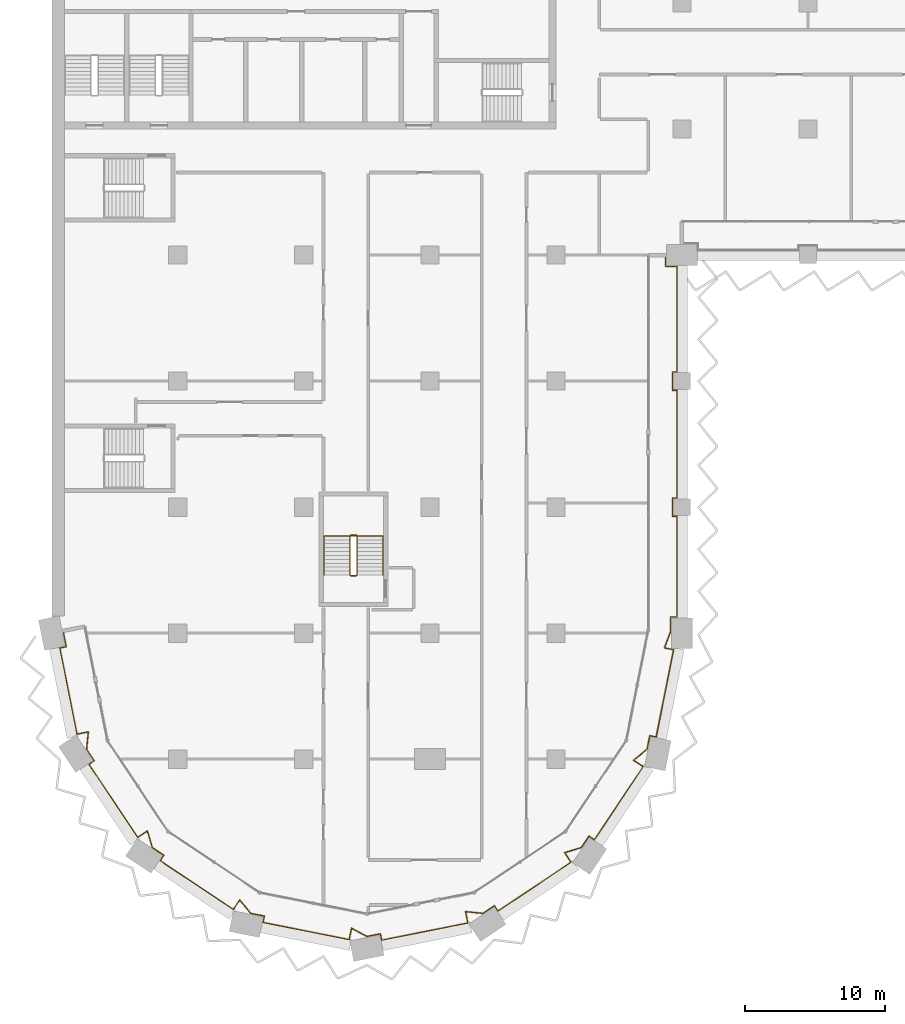
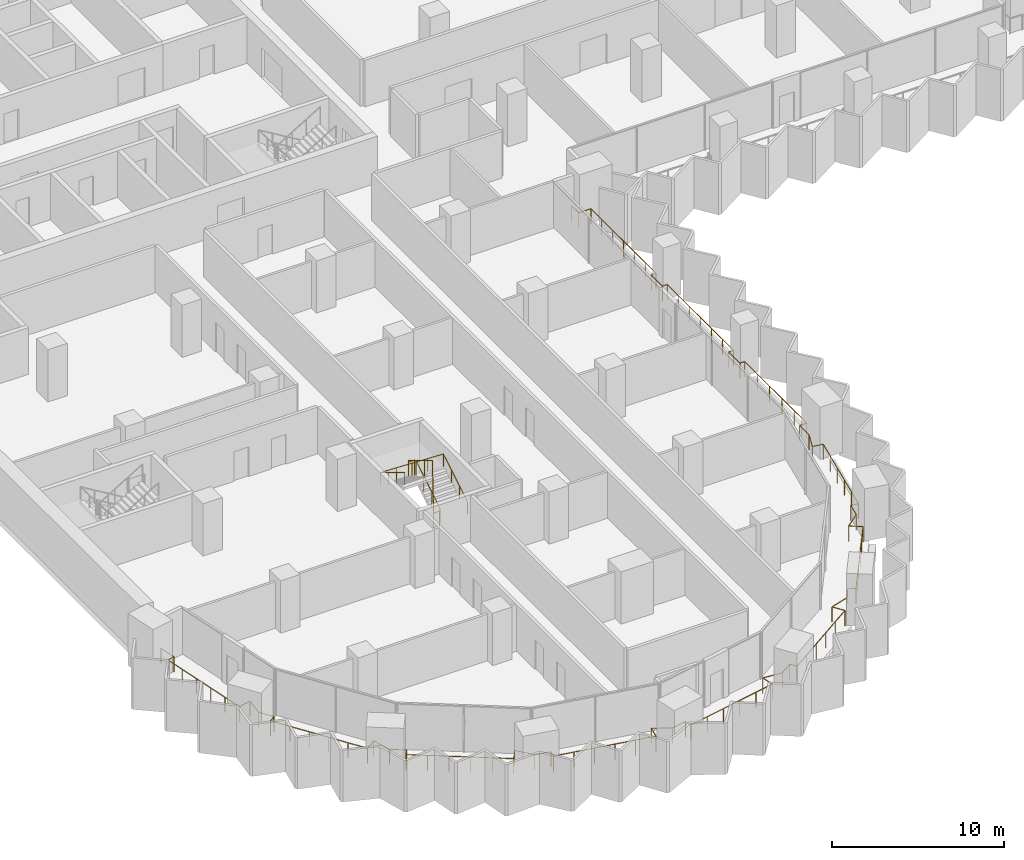
# One storey, part 19 of 22: 3 railings.
"""IFC4 building model written with IfcOpenShell, lengths in metres."""

from ifc_helpers import new_model, si_unit, direction, frame, origin, origin_2d, place, context, subcontext, project, spatial, circle, extrude, material, type_object, element, save


model = new_model("IFC4")

# Units and contexts
model_context = context("Model", 3, precision=1e-05, world=origin(), true_north=direction((0.0, 1.0)))
body_context = subcontext(model_context, "Body", "Model", "MODEL_VIEW")
ifc_project = project(units=[si_unit("LENGTHUNIT", "METRE"), si_unit("AREAUNIT", "SQUARE_METRE"), si_unit("VOLUMEUNIT", "CUBIC_METRE"), si_unit("PLANEANGLEUNIT", "RADIAN"), si_unit("MASSUNIT", "GRAM", prefix="KILO")], contexts=[model_context])

# Site, building, storey
site_placement = place(None, origin())
site = spatial("IfcSite", under=ifc_project, at=site_placement, CompositionType="ELEMENT")
building_placement = place(site_placement, origin())
building = spatial("IfcBuilding", under=site, at=building_placement, Name="Hunhe Ridgeline Campus", CompositionType="ELEMENT")
storey_placement = place(building_placement, frame((0.0, 0.0, 88.5)))
storey = spatial("IfcBuildingStorey", under=building, at=storey_placement, Name="L21", CompositionType="ELEMENT", Elevation=88.5)

# Railings
ifc_material_1 = material(Name="Steel Q355", Category="steel")
railing_type_1 = type_object("IfcRailingType", Name="Loggia guard 1100 Steel Q355", PredefinedType="GUARDRAIL", material=ifc_material_1)
railing_1_placement = place(storey_placement, frame((0.80419921875, 27.159912109375, 0.0)))
element("IfcRailing", 1, at=railing_1_placement, inside=storey, type_object=railing_type_1, Name="Loggia guard 1", PredefinedType="GUARDRAIL", context=body_context, shape_type="SweptSolid", body=[
    extrude(circle(Radius=0.02392578125, at=origin_2d()), frame((0.0, 0.0, 1.076171875), z_axis=(0.195095399255, -0.980784270464, 0.0), x_axis=(0.980784270464, 0.195095399255, 0.0)), (0.0, 0.0, 1.0), 1.150146484375),
    extrude(circle(Radius=0.02392578125, at=origin_2d()), frame((0.224365234375, -1.1279296875, 1.076171875), z_axis=(-0.980839571814, -0.194817181902, 0.0), x_axis=(0.194817181902, -0.980839571814, 0.0)), (0.0, 0.0, 1.0), 0.469970703125),
    extrude(circle(Radius=0.02392578125, at=origin_2d()), frame((-0.236572265625, -1.219482421875, 1.076171875), z_axis=(0.195091122585, -0.98078512116, 0.0), x_axis=(0.98078512116, 0.195091122585, 0.0)), (0.0, 0.0, 1.0), 6.27587890625),
    extrude(circle(Radius=0.02392578125, at=origin_2d()), frame((0.98779296875, -7.374755859375, 1.076171875), z_axis=(0.980805242724, 0.194989937807, 0.0), x_axis=(-0.194989937807, 0.980805242724, 0.0)), (0.0, 0.0, 1.0), 0.833984375),
    extrude(circle(Radius=0.02392578125, at=origin_2d()), frame((1.8056640625, -7.212158203125, 1.076171875), z_axis=(-0.10024174874, -0.994963110778, 0.0), x_axis=(0.994963110778, -0.10024174874, 0.0)), (0.0, 0.0, 1.0), 1.24462890625),
    extrude(circle(Radius=0.02392578125, at=origin_2d()), frame((1.680908203125, -8.450439453125, 1.076171875), z_axis=(0.555613261421, -0.831440860034, 0.0), x_axis=(0.831440860034, 0.555613261421, 0.0)), (0.0, 0.0, 1.0), 0.98681640625),
    extrude(circle(Radius=0.02392578125, at=origin_2d()), frame((2.229248046875, -9.27099609375, 1.076171875), z_axis=(-0.831650496226, -0.55529942565, 0.0), x_axis=(0.55529942565, -0.831650496226, 0.0)), (0.0, 0.0, 1.0), 0.469970703125),
    extrude(circle(Radius=0.02392578125, at=origin_2d()), frame((1.83837890625, -9.531982421875, 1.076171875), z_axis=(0.55555274607, -0.831481296443, 0.0), x_axis=(0.831481296443, 0.55555274607, 0.0)), (0.0, 0.0, 1.0), 6.27587890625),
    extrude(circle(Radius=0.02392578125, at=origin_2d()), frame((5.324951171875, -14.750244140625, 1.076171875), z_axis=(0.831419211319, 0.555645656016, 0.0), x_axis=(-0.555645656016, 0.831419211319, 0.0)), (0.0, 0.0, 1.0), 0.833984375),
    extrude(circle(Radius=0.02392578125, at=origin_2d()), frame((6.018310546875, -14.286865234375, 1.076171875), z_axis=(0.288373576958, -0.957517979002, 0.0), x_axis=(0.957517979002, 0.288373576958, 0.0)), (0.0, 0.0, 1.0), 1.24462890625),
    extrude(circle(Radius=0.02392578125, at=origin_2d()), frame((6.377197265625, -15.478515625, 1.076171875), z_axis=(0.831440860034, -0.555613261421, 0.0), x_axis=(0.555613261421, 0.831440860034, 0.0)), (0.0, 0.0, 1.0), 0.98681640625),
    extrude(circle(Radius=0.02392578125, at=origin_2d()), frame((7.19775390625, -16.02685546875, 1.076171875), z_axis=(-0.555658548717, -0.831410594856, 0.0), x_axis=(0.831410594856, -0.555658548717, 0.0)), (0.0, 0.0, 1.0), 0.47021484375),
    extrude(circle(Radius=0.02392578125, at=origin_2d()), frame((6.9365234375, -16.417724609375, 1.076171875), z_axis=(0.831469289337, -0.555570716372, 0.0), x_axis=(0.555570716372, 0.831469289337, 0.0)), (0.0, 0.0, 1.0), 6.275634765625),
    extrude(circle(Radius=0.02392578125, at=origin_2d()), frame((12.154541015625, -19.904296875, 1.076171875), z_axis=(0.555645656016, 0.831419211319, 0.0), x_axis=(-0.831419211319, 0.555645656016, 0.0)), (0.0, 0.0, 1.0), 0.833984375),
    extrude(circle(Radius=0.02392578125, at=origin_2d()), frame((12.617919921875, -19.2109375, 1.076171875), z_axis=(0.632628709191, -0.774455238414, 0.0), x_axis=(0.774455238414, 0.632628709191, 0.0)), (0.0, 0.0, 1.0), 1.24462890625),
    extrude(circle(Radius=0.02392578125, at=origin_2d()), frame((13.4052734375, -20.1748046875, 1.076171875), z_axis=(0.980770488785, -0.195164669773, 0.0), x_axis=(0.195164669773, 0.980770488785, 0.0)), (0.0, 0.0, 1.0), 0.987060546875),
    extrude(circle(Radius=0.02392578125, at=origin_2d()), frame((14.373291015625, -20.367431640625, 1.076171875), z_axis=(-0.195316901017, -0.980740183829, 0.0), x_axis=(0.980740183829, -0.195316901017, 0.0)), (0.0, 0.0, 1.0), 0.469970703125),
    extrude(circle(Radius=0.02392578125, at=origin_2d()), frame((14.281494140625, -20.828369140625, 1.076171875), z_axis=(0.98078512116, -0.195091122585, 0.0), x_axis=(0.195091122585, 0.98078512116, 0.0)), (0.0, 0.0, 1.0), 6.27587890625),
    extrude(circle(Radius=0.02392578125, at=origin_2d()), frame((20.436767578125, -22.052734375, 1.076171875), z_axis=(0.194989937807, 0.980805242724, 0.0), x_axis=(-0.980805242724, 0.194989937807, 0.0)), (0.0, 0.0, 1.0), 0.833984375),
    extrude(circle(Radius=0.02392578125, at=origin_2d()), frame((20.599365234375, -21.23486328125, 1.076171875), z_axis=(0.880980801229, -0.473152013486, 0.0), x_axis=(0.473152013486, 0.880980801229, 0.0)), (0.0, 0.0, 1.0), 1.24462890625),
    extrude(circle(Radius=0.02392578125, at=origin_2d()), frame((21.69580078125, -21.82373046875, 1.076171875), z_axis=(0.98081780924, 0.194926717196, 0.0), x_axis=(-0.194926717196, 0.98081780924, 0.0)), (0.0, 0.0, 1.0), 0.987060546875),
    extrude(circle(Radius=0.02392578125, at=origin_2d()), frame((22.663818359375, -21.63134765625, 1.076171875), z_axis=(0.194817181902, -0.980839571814, 0.0), x_axis=(0.980839571814, 0.194817181902, 0.0)), (0.0, 0.0, 1.0), 0.469970703125),
    extrude(circle(Radius=0.02392578125, at=origin_2d()), frame((22.75537109375, -22.09228515625, 1.076171875), z_axis=(0.98078512116, 0.195091122585, 0.0), x_axis=(-0.195091122585, 0.98078512116, 0.0)), (0.0, 0.0, 1.0), 6.27587890625),
    extrude(circle(Radius=0.02392578125, at=origin_2d()), frame((28.91064453125, -20.867919921875, 1.076171875), z_axis=(-0.194989937807, 0.980805242724, 0.0), x_axis=(-0.980805242724, -0.194989937807, 0.0)), (0.0, 0.0, 1.0), 0.833984375),
    extrude(circle(Radius=0.02392578125, at=origin_2d()), frame((28.748046875, -20.050048828125, 1.076171875), z_axis=(0.994963110778, -0.10024174874, 0.0), x_axis=(0.10024174874, 0.994963110778, 0.0)), (0.0, 0.0, 1.0), 1.24462890625),
    extrude(circle(Radius=0.02392578125, at=origin_2d()), frame((29.986328125, -20.1748046875, 1.076171875), z_axis=(0.831440860034, 0.555613261421, 0.0), x_axis=(-0.555613261421, 0.831440860034, 0.0)), (0.0, 0.0, 1.0), 0.98681640625),
    extrude(circle(Radius=0.02392578125, at=origin_2d()), frame((30.806884765625, -19.62646484375, 1.076171875), z_axis=(0.55529942565, -0.831650496226, 0.0), x_axis=(0.831650496226, 0.55529942565, 0.0)), (0.0, 0.0, 1.0), 0.469970703125),
    extrude(circle(Radius=0.02392578125, at=origin_2d()), frame((31.06787109375, -20.017333984375, 1.076171875), z_axis=(0.831481296443, 0.55555274607, 0.0), x_axis=(-0.55555274607, 0.831481296443, 0.0)), (0.0, 0.0, 1.0), 6.27587890625),
    extrude(circle(Radius=0.02392578125, at=origin_2d()), frame((36.2861328125, -16.53076171875, 1.076171875), z_axis=(-0.555645656016, 0.831419211319, 0.0), x_axis=(-0.831419211319, -0.555645656016, 0.0)), (0.0, 0.0, 1.0), 0.833984375),
    extrude(circle(Radius=0.02392578125, at=origin_2d()), frame((35.82275390625, -15.83740234375, 1.076171875), z_axis=(0.957517979002, 0.288373576958, 0.0), x_axis=(-0.288373576958, 0.957517979002, 0.0)), (0.0, 0.0, 1.0), 1.24462890625),
    extrude(circle(Radius=0.02392578125, at=origin_2d()), frame((37.014404296875, -15.478515625, 1.076171875), z_axis=(0.555613261421, 0.831440860034, 0.0), x_axis=(-0.831440860034, 0.555613261421, 0.0)), (0.0, 0.0, 1.0), 0.98681640625),
    extrude(circle(Radius=0.02392578125, at=origin_2d()), frame((37.562744140625, -14.657958984375, 1.076171875), z_axis=(0.831410594856, -0.555658548717, 0.0), x_axis=(0.555658548717, 0.831410594856, 0.0)), (0.0, 0.0, 1.0), 0.47021484375),
    extrude(circle(Radius=0.02392578125, at=origin_2d()), frame((37.95361328125, -14.919189453125, 1.076171875), z_axis=(0.555570716372, 0.831469289337, 0.0), x_axis=(-0.831469289337, 0.555570716372, 0.0)), (0.0, 0.0, 1.0), 6.275634765625),
    extrude(circle(Radius=0.02392578125, at=origin_2d()), frame((41.440185546875, -9.701171875, 1.076171875), z_axis=(-0.831419211319, 0.555645656016, 0.0), x_axis=(-0.555645656016, -0.831419211319, 0.0)), (0.0, 0.0, 1.0), 0.833984375),
    extrude(circle(Radius=0.02392578125, at=origin_2d()), frame((40.746826171875, -9.23779296875, 1.076171875), z_axis=(0.774455238414, 0.632628709191, 0.0), x_axis=(-0.632628709191, 0.774455238414, 0.0)), (0.0, 0.0, 1.0), 1.24462890625),
    extrude(circle(Radius=0.02392578125, at=origin_2d()), frame((41.710693359375, -8.450439453125, 1.076171875), z_axis=(0.195164669773, 0.980770488785, 0.0), x_axis=(-0.980770488785, 0.195164669773, 0.0)), (0.0, 0.0, 1.0), 0.987060546875),
    extrude(circle(Radius=0.02392578125, at=origin_2d()), frame((41.9033203125, -7.482421875, 1.076171875), z_axis=(0.980740183829, -0.195316901017, 0.0), x_axis=(0.195316901017, 0.980740183829, 0.0)), (0.0, 0.0, 1.0), 0.469970703125),
    extrude(circle(Radius=0.02392578125, at=origin_2d()), frame((42.3642578125, -7.57421875, 1.076171875), z_axis=(0.195074166836, 0.98078849373, 0.0), x_axis=(-0.98078849373, 0.195074166836, 0.0)), (0.0, 0.0, 1.0), 6.35400390625),
    extrude(circle(Radius=0.02392578125, at=origin_2d()), frame((43.603759765625, -1.34228515625, 1.076171875), z_axis=(-0.980818178173, 0.194924860818, 0.0), x_axis=(-0.194924860818, -0.980818178173, 0.0)), (0.0, 0.0, 1.0), 0.670166015625),
    extrude(circle(Radius=0.02392578125, at=origin_2d()), frame((42.946533203125, -1.211669921875, 1.076171875), z_axis=(0.354368618256, 0.935105813475, 0.0), x_axis=(-0.935105813475, 0.354368618256, 0.0)), (0.0, 0.0, 1.0), 1.211181640625),
    extrude(circle(Radius=0.02392578125, at=origin_2d()), frame((43.375732421875, -0.0791015625, 1.076171875), z_axis=(0.0, 1.0, 0.0), x_axis=(-1.0, 0.0, 0.0)), (0.0, 0.0, 1.0), 1.069091796875),
    extrude(circle(Radius=0.02392578125, at=origin_2d()), frame((43.375732421875, 0.989990234375, 1.076171875), z_axis=(1.0, 0.0, 0.0), x_axis=(0.0, 1.0, 0.0)), (0.0, 0.0, 1.0), 0.469970703125),
    extrude(circle(Radius=0.02392578125, at=origin_2d()), frame((43.845703125, 0.989990234375, 1.076171875), z_axis=(0.0, 1.0, 0.0), x_axis=(-1.0, 0.0, 0.0)), (0.0, 0.0, 1.0), 7.2001953125),
    extrude(circle(Radius=0.02392578125, at=origin_2d()), frame((43.845703125, 8.190185546875, 1.076171875), z_axis=(-1.0, 0.0, 0.0), x_axis=(0.0, -1.0, 0.0)), (0.0, 0.0, 1.0), 0.31982421875),
    extrude(circle(Radius=0.02392578125, at=origin_2d()), frame((43.52587890625, 8.190185546875, 1.076171875), z_axis=(0.0, 1.0, 0.0), x_axis=(-1.0, 0.0, 0.0)), (0.0, 0.0, 1.0), 1.2998046875),
    extrude(circle(Radius=0.02392578125, at=origin_2d()), frame((43.52587890625, 9.489990234375, 1.076171875), z_axis=(1.0, 0.0, 0.0), x_axis=(0.0, 1.0, 0.0)), (0.0, 0.0, 1.0), 0.31982421875),
    extrude(circle(Radius=0.02392578125, at=origin_2d()), frame((43.845703125, 9.489990234375, 1.076171875), z_axis=(0.0, 1.0, 0.0), x_axis=(-1.0, 0.0, 0.0)), (0.0, 0.0, 1.0), 7.7001953125),
    extrude(circle(Radius=0.02392578125, at=origin_2d()), frame((43.845703125, 17.190185546875, 1.076171875), z_axis=(-1.0, 0.0, 0.0), x_axis=(0.0, -1.0, 0.0)), (0.0, 0.0, 1.0), 0.31982421875),
    extrude(circle(Radius=0.02392578125, at=origin_2d()), frame((43.52587890625, 17.190185546875, 1.076171875), z_axis=(0.0, 1.0, 0.0), x_axis=(-1.0, 0.0, 0.0)), (0.0, 0.0, 1.0), 1.2998046875),
    extrude(circle(Radius=0.02392578125, at=origin_2d()), frame((43.52587890625, 18.489990234375, 1.076171875), z_axis=(1.0, 0.0, 0.0), x_axis=(0.0, 1.0, 0.0)), (0.0, 0.0, 1.0), 0.31982421875),
    extrude(circle(Radius=0.02392578125, at=origin_2d()), frame((43.845703125, 18.489990234375, 1.076171875), z_axis=(0.0, 1.0, 0.0), x_axis=(-1.0, 0.0, 0.0)), (0.0, 0.0, 1.0), 7.550048828125),
    extrude(circle(Radius=0.02392578125, at=origin_2d()), frame((43.845703125, 26.0400390625, 1.076171875), z_axis=(-1.0, 0.0, 0.0), x_axis=(0.0, -1.0, 0.0)), (0.0, 0.0, 1.0), 0.81982421875),
    extrude(circle(Radius=0.02392578125, at=origin_2d()), frame((43.02587890625, 26.0400390625, 1.076171875), z_axis=(0.0, 1.0, 0.0), x_axis=(-1.0, 0.0, 0.0)), (0.0, 0.0, 1.0), 0.800048828125),
    extrude(circle(Radius=0.02099609375, at=origin_2d()), origin(), (0.0, 0.0, 1.0), 1.052001953125),
    extrude(circle(Radius=0.02099609375, at=origin_2d()), frame((0.224365234375, -1.1279296875, 0.0)), (0.0, 0.0, 1.0), 1.052001953125),
    extrude(circle(Radius=0.02099609375, at=origin_2d()), frame((-0.236572265625, -1.219482421875, 0.0)), (0.0, 0.0, 1.0), 1.052001953125),
    extrude(circle(Radius=0.02099609375, at=origin_2d()), frame((0.00830078125, -2.450439453125, 0.0)), (0.0, 0.0, 1.0), 1.052001953125),
    extrude(circle(Radius=0.02099609375, at=origin_2d()), frame((0.253173828125, -3.681640625, 0.0)), (0.0, 0.0, 1.0), 1.052001953125),
    extrude(circle(Radius=0.02099609375, at=origin_2d()), frame((0.498046875, -4.91259765625, 0.0)), (0.0, 0.0, 1.0), 1.052001953125),
    extrude(circle(Radius=0.02099609375, at=origin_2d()), frame((0.742919921875, -6.143798828125, 0.0)), (0.0, 0.0, 1.0), 1.052001953125),
    extrude(circle(Radius=0.02099609375, at=origin_2d()), frame((0.98779296875, -7.374755859375, 0.0)), (0.0, 0.0, 1.0), 1.052001953125),
    extrude(circle(Radius=0.02099609375, at=origin_2d()), frame((1.8056640625, -7.212158203125, 0.0)), (0.0, 0.0, 1.0), 1.052001953125),
    extrude(circle(Radius=0.02099609375, at=origin_2d()), frame((1.680908203125, -8.450439453125, 0.0)), (0.0, 0.0, 1.0), 1.052001953125),
    extrude(circle(Radius=0.02099609375, at=origin_2d()), frame((2.229248046875, -9.27099609375, 0.0)), (0.0, 0.0, 1.0), 1.052001953125),
    extrude(circle(Radius=0.02099609375, at=origin_2d()), frame((1.83837890625, -9.531982421875, 0.0)), (0.0, 0.0, 1.0), 1.052001953125),
    extrude(circle(Radius=0.02099609375, at=origin_2d()), frame((2.53564453125, -10.57568359375, 0.0)), (0.0, 0.0, 1.0), 1.052001953125),
    extrude(circle(Radius=0.02099609375, at=origin_2d()), frame((3.23291015625, -11.619384765625, 0.0)), (0.0, 0.0, 1.0), 1.052001953125),
    extrude(circle(Radius=0.02099609375, at=origin_2d()), frame((3.930419921875, -12.662841796875, 0.0)), (0.0, 0.0, 1.0), 1.052001953125),
    extrude(circle(Radius=0.02099609375, at=origin_2d()), frame((4.627685546875, -13.70654296875, 0.0)), (0.0, 0.0, 1.0), 1.052001953125),
    extrude(circle(Radius=0.02099609375, at=origin_2d()), frame((5.324951171875, -14.750244140625, 0.0)), (0.0, 0.0, 1.0), 1.052001953125),
    extrude(circle(Radius=0.02099609375, at=origin_2d()), frame((6.018310546875, -14.286865234375, 0.0)), (0.0, 0.0, 1.0), 1.052001953125),
    extrude(circle(Radius=0.02099609375, at=origin_2d()), frame((6.377197265625, -15.478515625, 0.0)), (0.0, 0.0, 1.0), 1.052001953125),
    extrude(circle(Radius=0.02099609375, at=origin_2d()), frame((7.19775390625, -16.02685546875, 0.0)), (0.0, 0.0, 1.0), 1.052001953125),
    extrude(circle(Radius=0.02099609375, at=origin_2d()), frame((6.9365234375, -16.417724609375, 0.0)), (0.0, 0.0, 1.0), 1.052001953125),
    extrude(circle(Radius=0.02099609375, at=origin_2d()), frame((7.980224609375, -17.114990234375, 0.0)), (0.0, 0.0, 1.0), 1.052001953125),
    extrude(circle(Radius=0.02099609375, at=origin_2d()), frame((9.023681640625, -17.812255859375, 0.0)), (0.0, 0.0, 1.0), 1.052001953125),
    extrude(circle(Radius=0.02099609375, at=origin_2d()), frame((10.0673828125, -18.509765625, 0.0)), (0.0, 0.0, 1.0), 1.052001953125),
    extrude(circle(Radius=0.02099609375, at=origin_2d()), frame((11.11083984375, -19.20703125, 0.0)), (0.0, 0.0, 1.0), 1.052001953125),
    extrude(circle(Radius=0.02099609375, at=origin_2d()), frame((12.154541015625, -19.904296875, 0.0)), (0.0, 0.0, 1.0), 1.052001953125),
    extrude(circle(Radius=0.02099609375, at=origin_2d()), frame((12.617919921875, -19.2109375, 0.0)), (0.0, 0.0, 1.0), 1.052001953125),
    extrude(circle(Radius=0.02099609375, at=origin_2d()), frame((13.4052734375, -20.1748046875, 0.0)), (0.0, 0.0, 1.0), 1.052001953125),
    extrude(circle(Radius=0.02099609375, at=origin_2d()), frame((14.373291015625, -20.367431640625, 0.0)), (0.0, 0.0, 1.0), 1.052001953125),
    extrude(circle(Radius=0.02099609375, at=origin_2d()), frame((14.281494140625, -20.828369140625, 0.0)), (0.0, 0.0, 1.0), 1.052001953125),
    extrude(circle(Radius=0.02099609375, at=origin_2d()), frame((15.512451171875, -21.0732421875, 0.0)), (0.0, 0.0, 1.0), 1.052001953125),
    extrude(circle(Radius=0.02099609375, at=origin_2d()), frame((16.74365234375, -21.318115234375, 0.0)), (0.0, 0.0, 1.0), 1.052001953125),
    extrude(circle(Radius=0.02099609375, at=origin_2d()), frame((17.974609375, -21.56298828125, 0.0)), (0.0, 0.0, 1.0), 1.052001953125),
    extrude(circle(Radius=0.02099609375, at=origin_2d()), frame((19.205810546875, -21.807861328125, 0.0)), (0.0, 0.0, 1.0), 1.052001953125),
    extrude(circle(Radius=0.02099609375, at=origin_2d()), frame((20.436767578125, -22.052734375, 0.0)), (0.0, 0.0, 1.0), 1.052001953125),
    extrude(circle(Radius=0.02099609375, at=origin_2d()), frame((20.599365234375, -21.23486328125, 0.0)), (0.0, 0.0, 1.0), 1.052001953125),
    extrude(circle(Radius=0.02099609375, at=origin_2d()), frame((21.69580078125, -21.82373046875, 0.0)), (0.0, 0.0, 1.0), 1.052001953125),
    extrude(circle(Radius=0.02099609375, at=origin_2d()), frame((22.663818359375, -21.63134765625, 0.0)), (0.0, 0.0, 1.0), 1.052001953125),
    extrude(circle(Radius=0.02099609375, at=origin_2d()), frame((22.75537109375, -22.09228515625, 0.0)), (0.0, 0.0, 1.0), 1.052001953125),
    extrude(circle(Radius=0.02099609375, at=origin_2d()), frame((23.986328125, -21.847412109375, 0.0)), (0.0, 0.0, 1.0), 1.052001953125),
    extrude(circle(Radius=0.02099609375, at=origin_2d()), frame((25.217529296875, -21.6025390625, 0.0)), (0.0, 0.0, 1.0), 1.052001953125),
    extrude(circle(Radius=0.02099609375, at=origin_2d()), frame((26.448486328125, -21.357666015625, 0.0)), (0.0, 0.0, 1.0), 1.052001953125),
    extrude(circle(Radius=0.02099609375, at=origin_2d()), frame((27.6796875, -21.11279296875, 0.0)), (0.0, 0.0, 1.0), 1.052001953125),
    extrude(circle(Radius=0.02099609375, at=origin_2d()), frame((28.91064453125, -20.867919921875, 0.0)), (0.0, 0.0, 1.0), 1.052001953125),
    extrude(circle(Radius=0.02099609375, at=origin_2d()), frame((28.748046875, -20.050048828125, 0.0)), (0.0, 0.0, 1.0), 1.052001953125),
    extrude(circle(Radius=0.02099609375, at=origin_2d()), frame((29.986328125, -20.1748046875, 0.0)), (0.0, 0.0, 1.0), 1.052001953125),
    extrude(circle(Radius=0.02099609375, at=origin_2d()), frame((30.806884765625, -19.62646484375, 0.0)), (0.0, 0.0, 1.0), 1.052001953125),
    extrude(circle(Radius=0.02099609375, at=origin_2d()), frame((31.06787109375, -20.017333984375, 0.0)), (0.0, 0.0, 1.0), 1.052001953125),
    extrude(circle(Radius=0.02099609375, at=origin_2d()), frame((32.111572265625, -19.320068359375, 0.0)), (0.0, 0.0, 1.0), 1.052001953125),
    extrude(circle(Radius=0.02099609375, at=origin_2d()), frame((33.1552734375, -18.622802734375, 0.0)), (0.0, 0.0, 1.0), 1.052001953125),
    extrude(circle(Radius=0.02099609375, at=origin_2d()), frame((34.19873046875, -17.92529296875, 0.0)), (0.0, 0.0, 1.0), 1.052001953125),
    extrude(circle(Radius=0.02099609375, at=origin_2d()), frame((35.242431640625, -17.22802734375, 0.0)), (0.0, 0.0, 1.0), 1.052001953125),
    extrude(circle(Radius=0.02099609375, at=origin_2d()), frame((36.2861328125, -16.53076171875, 0.0)), (0.0, 0.0, 1.0), 1.052001953125),
    extrude(circle(Radius=0.02099609375, at=origin_2d()), frame((35.82275390625, -15.83740234375, 0.0)), (0.0, 0.0, 1.0), 1.052001953125),
    extrude(circle(Radius=0.02099609375, at=origin_2d()), frame((37.014404296875, -15.478515625, 0.0)), (0.0, 0.0, 1.0), 1.052001953125),
    extrude(circle(Radius=0.02099609375, at=origin_2d()), frame((37.562744140625, -14.657958984375, 0.0)), (0.0, 0.0, 1.0), 1.052001953125),
    extrude(circle(Radius=0.02099609375, at=origin_2d()), frame((37.95361328125, -14.919189453125, 0.0)), (0.0, 0.0, 1.0), 1.052001953125),
    extrude(circle(Radius=0.02099609375, at=origin_2d()), frame((38.65087890625, -13.87548828125, 0.0)), (0.0, 0.0, 1.0), 1.052001953125),
    extrude(circle(Radius=0.02099609375, at=origin_2d()), frame((39.34814453125, -12.83203125, 0.0)), (0.0, 0.0, 1.0), 1.052001953125),
    extrude(circle(Radius=0.02099609375, at=origin_2d()), frame((40.045654296875, -11.788330078125, 0.0)), (0.0, 0.0, 1.0), 1.052001953125),
    extrude(circle(Radius=0.02099609375, at=origin_2d()), frame((40.742919921875, -10.744873046875, 0.0)), (0.0, 0.0, 1.0), 1.052001953125),
    extrude(circle(Radius=0.02099609375, at=origin_2d()), frame((41.440185546875, -9.701171875, 0.0)), (0.0, 0.0, 1.0), 1.052001953125),
    extrude(circle(Radius=0.02099609375, at=origin_2d()), frame((40.746826171875, -9.23779296875, 0.0)), (0.0, 0.0, 1.0), 1.052001953125),
    extrude(circle(Radius=0.02099609375, at=origin_2d()), frame((41.710693359375, -8.450439453125, 0.0)), (0.0, 0.0, 1.0), 1.052001953125),
    extrude(circle(Radius=0.02099609375, at=origin_2d()), frame((41.9033203125, -7.482421875, 0.0)), (0.0, 0.0, 1.0), 1.052001953125),
    extrude(circle(Radius=0.02099609375, at=origin_2d()), frame((42.3642578125, -7.57421875, 0.0)), (0.0, 0.0, 1.0), 1.052001953125),
    extrude(circle(Radius=0.02099609375, at=origin_2d()), frame((42.612060546875, -6.327880859375, 0.0)), (0.0, 0.0, 1.0), 1.052001953125),
    extrude(circle(Radius=0.02099609375, at=origin_2d()), frame((42.860107421875, -5.08154296875, 0.0)), (0.0, 0.0, 1.0), 1.052001953125),
    extrude(circle(Radius=0.02099609375, at=origin_2d()), frame((43.10791015625, -3.8349609375, 0.0)), (0.0, 0.0, 1.0), 1.052001953125),
    extrude(circle(Radius=0.02099609375, at=origin_2d()), frame((43.35595703125, -2.588623046875, 0.0)), (0.0, 0.0, 1.0), 1.052001953125),
    extrude(circle(Radius=0.02099609375, at=origin_2d()), frame((43.603759765625, -1.34228515625, 0.0)), (0.0, 0.0, 1.0), 1.052001953125),
    extrude(circle(Radius=0.02099609375, at=origin_2d()), frame((42.946533203125, -1.211669921875, 0.0)), (0.0, 0.0, 1.0), 1.052001953125),
    extrude(circle(Radius=0.02099609375, at=origin_2d()), frame((43.375732421875, -0.0791015625, 0.0)), (0.0, 0.0, 1.0), 1.052001953125),
    extrude(circle(Radius=0.02099609375, at=origin_2d()), frame((43.375732421875, 0.989990234375, 0.0)), (0.0, 0.0, 1.0), 1.052001953125),
    extrude(circle(Radius=0.02099609375, at=origin_2d()), frame((43.845703125, 0.989990234375, 0.0)), (0.0, 0.0, 1.0), 1.052001953125),
    extrude(circle(Radius=0.02099609375, at=origin_2d()), frame((43.845703125, 2.429931640625, 0.0)), (0.0, 0.0, 1.0), 1.052001953125),
    extrude(circle(Radius=0.02099609375, at=origin_2d()), frame((43.845703125, 3.8701171875, 0.0)), (0.0, 0.0, 1.0), 1.052001953125),
    extrude(circle(Radius=0.02099609375, at=origin_2d()), frame((43.845703125, 5.31005859375, 0.0)), (0.0, 0.0, 1.0), 1.052001953125),
    extrude(circle(Radius=0.02099609375, at=origin_2d()), frame((43.845703125, 6.750244140625, 0.0)), (0.0, 0.0, 1.0), 1.052001953125),
    extrude(circle(Radius=0.02099609375, at=origin_2d()), frame((43.845703125, 8.190185546875, 0.0)), (0.0, 0.0, 1.0), 1.052001953125),
    extrude(circle(Radius=0.02099609375, at=origin_2d()), frame((43.52587890625, 8.190185546875, 0.0)), (0.0, 0.0, 1.0), 1.052001953125),
    extrude(circle(Radius=0.02099609375, at=origin_2d()), frame((43.52587890625, 9.489990234375, 0.0)), (0.0, 0.0, 1.0), 1.052001953125),
    extrude(circle(Radius=0.02099609375, at=origin_2d()), frame((43.845703125, 9.489990234375, 0.0)), (0.0, 0.0, 1.0), 1.052001953125),
    extrude(circle(Radius=0.02099609375, at=origin_2d()), frame((43.845703125, 10.7734375, 0.0)), (0.0, 0.0, 1.0), 1.052001953125),
    extrude(circle(Radius=0.02099609375, at=origin_2d()), frame((43.845703125, 12.056640625, 0.0)), (0.0, 0.0, 1.0), 1.052001953125),
    extrude(circle(Radius=0.02099609375, at=origin_2d()), frame((43.845703125, 13.340087890625, 0.0)), (0.0, 0.0, 1.0), 1.052001953125),
    extrude(circle(Radius=0.02099609375, at=origin_2d()), frame((43.845703125, 14.62353515625, 0.0)), (0.0, 0.0, 1.0), 1.052001953125),
    extrude(circle(Radius=0.02099609375, at=origin_2d()), frame((43.845703125, 15.90673828125, 0.0)), (0.0, 0.0, 1.0), 1.052001953125),
    extrude(circle(Radius=0.02099609375, at=origin_2d()), frame((43.845703125, 17.190185546875, 0.0)), (0.0, 0.0, 1.0), 1.052001953125),
    extrude(circle(Radius=0.02099609375, at=origin_2d()), frame((43.52587890625, 17.190185546875, 0.0)), (0.0, 0.0, 1.0), 1.052001953125),
    extrude(circle(Radius=0.02099609375, at=origin_2d()), frame((43.52587890625, 18.489990234375, 0.0)), (0.0, 0.0, 1.0), 1.052001953125),
    extrude(circle(Radius=0.02099609375, at=origin_2d()), frame((43.845703125, 18.489990234375, 0.0)), (0.0, 0.0, 1.0), 1.052001953125),
    extrude(circle(Radius=0.02099609375, at=origin_2d()), frame((43.845703125, 19.748291015625, 0.0)), (0.0, 0.0, 1.0), 1.052001953125),
    extrude(circle(Radius=0.02099609375, at=origin_2d()), frame((43.845703125, 21.006591796875, 0.0)), (0.0, 0.0, 1.0), 1.052001953125),
    extrude(circle(Radius=0.02099609375, at=origin_2d()), frame((43.845703125, 22.26513671875, 0.0)), (0.0, 0.0, 1.0), 1.052001953125),
    extrude(circle(Radius=0.02099609375, at=origin_2d()), frame((43.845703125, 23.5234375, 0.0)), (0.0, 0.0, 1.0), 1.052001953125),
    extrude(circle(Radius=0.02099609375, at=origin_2d()), frame((43.845703125, 24.78173828125, 0.0)), (0.0, 0.0, 1.0), 1.052001953125),
    extrude(circle(Radius=0.02099609375, at=origin_2d()), frame((43.845703125, 26.0400390625, 0.0)), (0.0, 0.0, 1.0), 1.052001953125),
    extrude(circle(Radius=0.02099609375, at=origin_2d()), frame((43.02587890625, 26.0400390625, 0.0)), (0.0, 0.0, 1.0), 1.052001953125),
    extrude(circle(Radius=0.02099609375, at=origin_2d()), frame((43.02587890625, 26.840087890625, 0.0)), (0.0, 0.0, 1.0), 1.052001953125),
])
ifc_material_2 = material(Name="Stainless steel balustrade", Category="steel")
railing_type_2 = type_object("IfcRailingType", Name="Stair guard 1100 stainless", PredefinedType="GUARDRAIL", material=ifc_material_2)
railing_2_placement = place(storey_placement, frame((21.800048828125, 31.14990234375, 0.168212890625)))
element("IfcRailing", 2, at=railing_2_placement, inside=storey, type_object=railing_type_2, Name="L21 stair W3 guard", PredefinedType="GUARDRAIL", context=body_context, shape_type="SweptSolid", body=[
    extrude(circle(Radius=0.02392578125, at=origin_2d()), frame((0.0, 0.0, 1.076171875), z_axis=(0.0, 0.857242210791, 0.514913383045), x_axis=(-1.0, 0.0, 0.0)), (0.0, 0.0, 1.0), 3.266357421875),
    extrude(circle(Radius=0.02392578125, at=origin_2d()), frame((0.0, 2.800048828125, 2.7578125), z_axis=(-0.707106781187, 0.707106781187, 0.0), x_axis=(-0.707106781187, -0.707106781187, 0.0)), (0.0, 0.0, 1.0), 0.07080078125),
    extrude(circle(Radius=0.02392578125, at=origin_2d()), frame((-0.050048828125, 2.85009765625, 2.7578125), z_axis=(-1.0, 0.0, 0.0), x_axis=(0.0, -1.0, 0.0)), (0.0, 0.0, 1.0), 0.39990234375),
    extrude(circle(Radius=0.02392578125, at=origin_2d()), frame((-0.449951171875, 2.85009765625, 2.7578125), z_axis=(-0.274582412415, -0.274582412415, 0.921525364591), x_axis=(0.707106781187, -0.707106781187, 0.0)), (0.0, 0.0, 1.0), 0.182373046875),
    extrude(circle(Radius=0.02392578125, at=origin_2d()), frame((-0.5, 2.800048828125, 2.92578125), z_axis=(0.0, -0.857242210791, 0.514913383045), x_axis=(1.0, 0.0, 0.0)), (0.0, 0.0, 1.0), 3.266357421875),
    extrude(circle(Radius=0.02392578125, at=origin_2d()), frame((-0.5, 0.0, 4.60791015625), z_axis=(0.013524426427, -0.013458453615, -0.999817963389), x_axis=(0.705375805398, 0.708833529934, 0.0)), (0.0, 0.0, 1.0), 3.70068359375),
    extrude(circle(Radius=0.02392578125, at=origin_2d()), frame((-0.449951171875, -0.0498046875, 0.90771484375), z_axis=(1.0, 0.0, 0.0), x_axis=(0.0, 1.0, 0.0)), (0.0, 0.0, 1.0), 0.39990234375),
    extrude(circle(Radius=0.02099609375, at=origin_2d()), origin(), (0.0, 0.0, 1.0), 1.052001953125),
    extrude(circle(Radius=0.02099609375, at=origin_2d()), frame((0.0, 0.933349609375, 0.560546875)), (0.0, 0.0, 1.0), 1.052001953125),
    extrude(circle(Radius=0.02099609375, at=origin_2d()), frame((0.0, 1.86669921875, 1.121337890625)), (0.0, 0.0, 1.0), 1.052001953125),
    extrude(circle(Radius=0.02099609375, at=origin_2d()), frame((0.0, 2.800048828125, 1.681884765625)), (0.0, 0.0, 1.0), 1.052001953125),
    extrude(circle(Radius=0.02099609375, at=origin_2d()), frame((-0.050048828125, 2.85009765625, 1.681884765625)), (0.0, 0.0, 1.0), 1.052001953125),
    extrude(circle(Radius=0.02099609375, at=origin_2d()), frame((-0.449951171875, 2.85009765625, 1.681884765625)), (0.0, 0.0, 1.0), 1.052001953125),
    extrude(circle(Radius=0.02099609375, at=origin_2d()), frame((-0.5, 2.800048828125, 1.849853515625)), (0.0, 0.0, 1.0), 1.052001953125),
    extrude(circle(Radius=0.02099609375, at=origin_2d()), frame((-0.5, 1.86669921875, 2.410400390625)), (0.0, 0.0, 1.0), 1.052001953125),
    extrude(circle(Radius=0.02099609375, at=origin_2d()), frame((-0.5, 0.933349609375, 2.97119140625)), (0.0, 0.0, 1.0), 1.052001953125),
    extrude(circle(Radius=0.02099609375, at=origin_2d()), frame((-0.5, 0.0, 3.53173828125)), (0.0, 0.0, 1.0), 1.052001953125),
    extrude(circle(Radius=0.02099609375, at=origin_2d()), frame((-0.487548828125, -0.012451171875, 2.606689453125)), (0.0, 0.0, 1.0), 1.052001953125),
    extrude(circle(Radius=0.02099609375, at=origin_2d()), frame((-0.47509765625, -0.02490234375, 1.681640625)), (0.0, 0.0, 1.0), 1.052001953125),
    extrude(circle(Radius=0.02099609375, at=origin_2d()), frame((-0.46240234375, -0.037353515625, 0.7568359375)), (0.0, 0.0, 1.0), 1.052001953125),
    extrude(circle(Radius=0.02099609375, at=origin_2d()), frame((-0.449951171875, -0.0498046875, -0.168212890625)), (0.0, 0.0, 1.0), 1.052001953125),
    extrude(circle(Radius=0.02099609375, at=origin_2d()), frame((-0.050048828125, -0.0498046875, -0.168212890625)), (0.0, 0.0, 1.0), 1.052001953125),
])
ifc_material_3 = material(Name="Stainless steel handrail", Category="steel")
railing_type_3 = type_object("IfcRailingType", Name="Stair handrail 900 stainless", PredefinedType="HANDRAIL", material=ifc_material_3)
railing_3_placement = place(storey_placement, frame((23.64990234375, 31.14990234375, 0.168212890625)))
element("IfcRailing", 3, at=railing_3_placement, inside=storey, type_object=railing_type_3, Name="L21 stair W3 handrail", PredefinedType="HANDRAIL", context=body_context, shape_type="SweptSolid", body=[
    extrude(circle(Radius=0.02392578125, at=origin_2d()), frame((0.0, 0.0, 0.8759765625), z_axis=(0.0, 0.857242210791, 0.514913383045), x_axis=(-1.0, 0.0, 0.0)), (0.0, 0.0, 1.0), 3.266357421875),
    extrude(circle(Radius=0.02392578125, at=origin_2d()), frame((0.0, 2.800048828125, 2.5576171875), z_axis=(-0.99920123705, 0.0, 0.039961079526), x_axis=(0.0, -1.0, 0.0)), (0.0, 0.0, 1.0), 4.203369140625),
    extrude(circle(Radius=0.02392578125, at=origin_2d()), frame((-4.199951171875, 2.800048828125, 2.7255859375), z_axis=(0.0, -0.857242210791, 0.514913383045), x_axis=(1.0, 0.0, 0.0)), (0.0, 0.0, 1.0), 3.266357421875),
    extrude(circle(Radius=0.02099609375, at=origin_2d()), origin(), (0.0, 0.0, 1.0), 0.851806640625),
    extrude(circle(Radius=0.02099609375, at=origin_2d()), frame((0.0, 0.933349609375, 0.560546875)), (0.0, 0.0, 1.0), 0.851806640625),
    extrude(circle(Radius=0.02099609375, at=origin_2d()), frame((0.0, 1.86669921875, 1.121337890625)), (0.0, 0.0, 1.0), 0.851806640625),
    extrude(circle(Radius=0.02099609375, at=origin_2d()), frame((0.0, 2.800048828125, 1.681884765625)), (0.0, 0.0, 1.0), 0.851806640625),
    extrude(circle(Radius=0.02099609375, at=origin_2d()), frame((-1.050048828125, 2.800048828125, 1.723876953125)), (0.0, 0.0, 1.0), 0.851806640625),
    extrude(circle(Radius=0.02099609375, at=origin_2d()), frame((-2.10009765625, 2.800048828125, 1.765869140625)), (0.0, 0.0, 1.0), 0.851806640625),
    extrude(circle(Radius=0.02099609375, at=origin_2d()), frame((-3.14990234375, 2.800048828125, 1.807861328125)), (0.0, 0.0, 1.0), 0.851806640625),
    extrude(circle(Radius=0.02099609375, at=origin_2d()), frame((-4.199951171875, 2.800048828125, 1.849853515625)), (0.0, 0.0, 1.0), 0.851806640625),
    extrude(circle(Radius=0.02099609375, at=origin_2d()), frame((-4.199951171875, 1.86669921875, 2.410400390625)), (0.0, 0.0, 1.0), 0.851806640625),
    extrude(circle(Radius=0.02099609375, at=origin_2d()), frame((-4.199951171875, 0.933349609375, 2.97119140625)), (0.0, 0.0, 1.0), 0.851806640625),
    extrude(circle(Radius=0.02099609375, at=origin_2d()), frame((-4.199951171875, 0.0, 3.53173828125)), (0.0, 0.0, 1.0), 0.851806640625),
])

save(model, "model.ifc")
